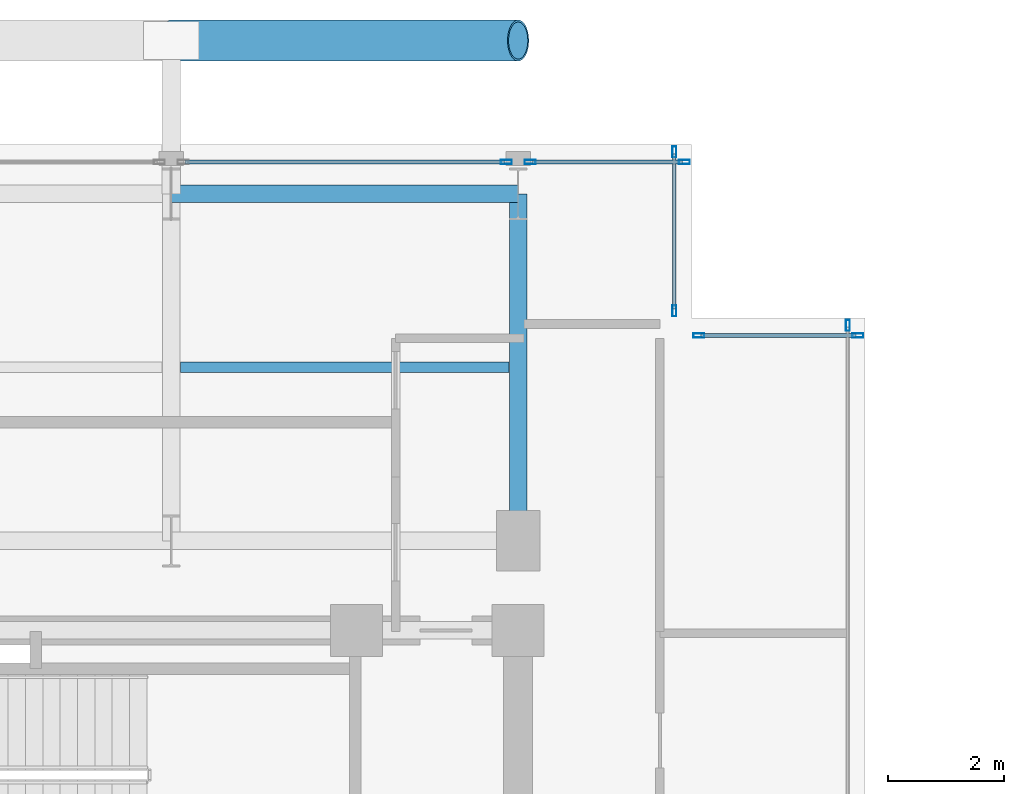
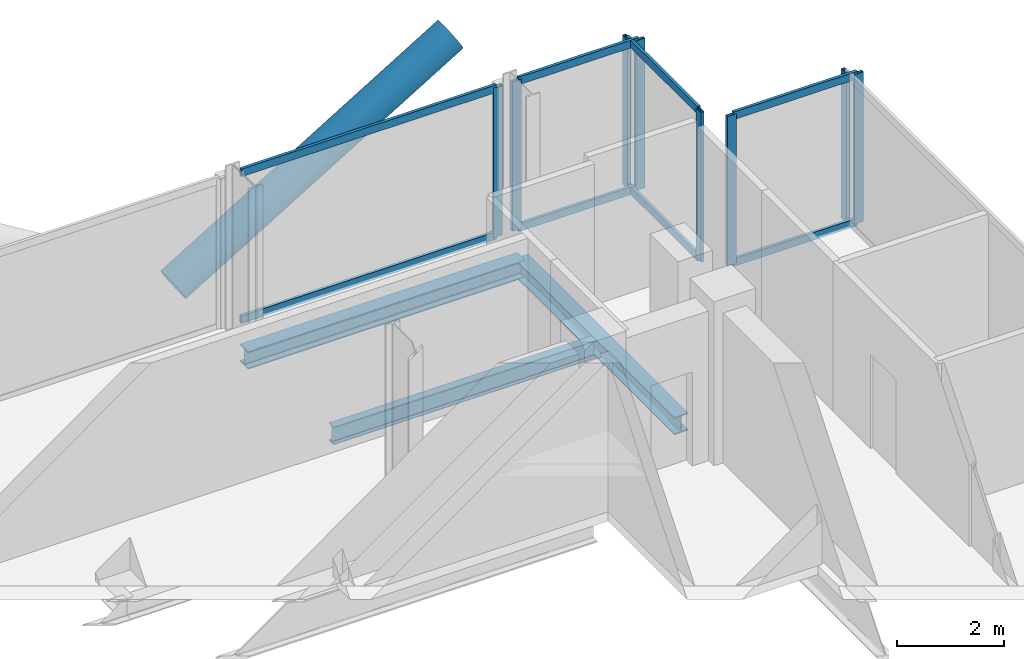
# One storey, part 15 of 25: 17 members, 3 beams, 5 elements without a shape of their own.
"""IFC4 building model written with IfcOpenShell, lengths in metres."""

from ifc_helpers import new_model, si_unit, direction, frame, origin, origin_2d, place, context, subcontext, project, spatial, hollow_rectangle, hollow_circle, i_section, extrude, material, layer, layer_set, material_profile, profile_set, type_object, element, aggregate, save


model = new_model("IFC4")

# Units and contexts
model_context = context("Model", 3, precision=1e-05, world=origin(), true_north=direction((0.0, 1.0)))
body_context = subcontext(model_context, "Body", "Model", "MODEL_VIEW")
ifc_project = project(units=[si_unit("LENGTHUNIT", "METRE"), si_unit("AREAUNIT", "SQUARE_METRE"), si_unit("VOLUMEUNIT", "CUBIC_METRE"), si_unit("PLANEANGLEUNIT", "RADIAN"), si_unit("MASSUNIT", "GRAM", prefix="KILO"), si_unit("THERMODYNAMICTEMPERATUREUNIT", "KELVIN"), si_unit("POWERUNIT", "WATT")], contexts=[model_context])

# Site, building, storey
site_placement = place(None, origin())
site = spatial("IfcSite", under=ifc_project, at=site_placement, CompositionType="ELEMENT")
building_placement = place(site_placement, origin())
building = spatial("IfcBuilding", under=site, at=building_placement, Name="Svarakhadi Broadcast Tower", CompositionType="ELEMENT")
storey_placement = place(building_placement, frame((0.0, 0.0, 231.14990234375)))
storey = spatial("IfcBuildingStorey", under=building, at=storey_placement, Name="L57", CompositionType="ELEMENT", Elevation=231.14990234375)

# Beam
ifc_material_1 = material(Name="Steel S355J2 (IS 2062 E350C)", Category="steel")
ifc_material_profile_1 = material_profile(ifc_material_1, i_section(OverallWidth=0.179931640625, OverallDepth=0.39990234375, WebThickness=0.008544921875, FlangeThickness=0.013427734375, FilletRadius=0.02099609375, at=origin_2d()), Name="NPB 400x180x66")
ifc_profile_set_1 = profile_set([ifc_material_profile_1], Name="Steel S355J2 (IS 2062 E350C)")
beam_type_1 = type_object("IfcBeamType", Name="Beam_NPB400", PredefinedType="BEAM", material=ifc_profile_set_1)
beam_placement = place(storey_placement, frame((12.159912109375, 32.14990234375, -0.409912109375), z_axis=(1.0, 0.0, 0.0), x_axis=(0.0, 1.0, 0.0)))
element("IfcBeam", 1, at=beam_placement, inside=storey, type_object=beam_type_1, Name="L57 Secondary Composite Beam SB012", PredefinedType="BEAM", context=body_context, shape_type="SweptSolid", body=[
    extrude(i_section(OverallWidth=0.179931640625, OverallDepth=0.39990234375, WebThickness=0.008544921875, FlangeThickness=0.013427734375, FilletRadius=0.02099609375, at=origin_2d()), origin(), (0.0, 0.0, 1.0), 5.68017578125),
])

# Curtain wall, member
ifc_material_2 = material(Name="Anodised Bronze Aluminium AA 6063-T6", Category="aluminium")
ifc_layer = layer(ifc_material_2, 0.18994140625)
ifc_layer_set = layer_set([ifc_layer], Name="Anodised Bronze Aluminium AA 6063-T6")
curtain_wall_type = type_object("IfcCurtainWallType", Name="CW_Sys_04", PredefinedType="NOTDEFINED", material=ifc_layer_set)
curtain_wall_1_placement = place(storey_placement, origin())
curtain_wall_1 = element("IfcCurtainWall", 2, at=curtain_wall_1_placement, inside=storey, type_object=curtain_wall_type, Name="L57 Unitised Facade Curtain Wall 06 Bay 2", PredefinedType="NOTDEFINED")
ifc_material_profile_2 = material_profile(ifc_material_2, hollow_rectangle(XDim=0.070068359375, YDim=0.18994140625, WallThickness=0.005615234375, at=origin_2d()), Name="ALU MULLION 190x70x6")
ifc_profile_set_2 = profile_set([ifc_material_profile_2], Name="Anodised Bronze Aluminium AA 6063-T6")
member_type_1 = type_object("IfcMemberType", Name="CW_Sys_04_Mul", PredefinedType="MULLION", material=ifc_profile_set_2)
member_1_placement = place(storey_placement, frame((17.794921875, 35.699951171875, 0.0), z_axis=(0.0, 0.0, 1.0), x_axis=(0.0, 1.0, 0.0)))
member_1 = element("IfcMember", 3, at=member_1_placement, type_object=member_type_1, Name="CW-04 mullion 2", PredefinedType="MULLION", context=body_context, shape_type="SweptSolid", body=[
    extrude(hollow_rectangle(XDim=0.070068359375, YDim=0.18994140625, WallThickness=0.005615234375, at=origin_2d()), origin(), (0.0, 0.0, 1.0), 3.425048828125),
])

# Curtain wall, members
curtain_wall_2_placement = place(storey_placement, origin())
curtain_wall_2 = element("IfcCurtainWall", 4, at=curtain_wall_2_placement, inside=storey, type_object=curtain_wall_type, Name="L57 Unitised Facade Curtain Wall 06 Bay 3", PredefinedType="NOTDEFINED")
member_2_placement = place(storey_placement, frame((18.205078125, 35.699951171875, 0.0), z_axis=(0.0, 0.0, 1.0), x_axis=(0.0, 1.0, 0.0)))
member_2 = element("IfcMember", 5, at=member_2_placement, type_object=member_type_1, Name="CW-04 mullion 1", PredefinedType="MULLION", context=body_context, shape_type="SweptSolid", body=[
    extrude(hollow_rectangle(XDim=0.070068359375, YDim=0.18994140625, WallThickness=0.005615234375, at=origin_2d()), origin(), (0.0, 0.0, 1.0), 3.425048828125),
])
member_3_placement = place(storey_placement, frame((20.875, 35.699951171875, 0.0), z_axis=(0.0, 0.0, 1.0), x_axis=(0.0, 1.0, 0.0)))
member_3 = element("IfcMember", 6, at=member_3_placement, type_object=member_type_1, Name="CW-04 mullion 2", PredefinedType="MULLION", context=body_context, shape_type="SweptSolid", body=[
    extrude(hollow_rectangle(XDim=0.070068359375, YDim=0.18994140625, WallThickness=0.005615234375, at=origin_2d()), origin(), (0.0, 0.0, 1.0), 3.425048828125),
])

curtain_wall_3_placement = place(storey_placement, origin())
curtain_wall_3 = element("IfcCurtainWall", 7, at=curtain_wall_3_placement, inside=storey, type_object=curtain_wall_type, Name="L57 Unitised Facade Curtain Wall 07", PredefinedType="NOTDEFINED")
member_4_placement = place(storey_placement, frame((20.699951171875, 35.875, 0.0), z_axis=(0.0, 0.0, 1.0), x_axis=(1.0, 0.0, 0.0)))
member_4 = element("IfcMember", 8, at=member_4_placement, type_object=member_type_1, Name="CW-04 mullion 1", PredefinedType="MULLION", context=body_context, shape_type="SweptSolid", body=[
    extrude(hollow_rectangle(XDim=0.070068359375, YDim=0.18994140625, WallThickness=0.005615234375, at=origin_2d()), origin(), (0.0, 0.0, 1.0), 3.425048828125),
])
member_5_placement = place(storey_placement, frame((20.699951171875, 33.125, 0.0), z_axis=(0.0, 0.0, 1.0), x_axis=(1.0, 0.0, 0.0)))
member_5 = element("IfcMember", 9, at=member_5_placement, type_object=member_type_1, Name="CW-04 mullion 2", PredefinedType="MULLION", context=body_context, shape_type="SweptSolid", body=[
    extrude(hollow_rectangle(XDim=0.070068359375, YDim=0.18994140625, WallThickness=0.005615234375, at=origin_2d()), origin(), (0.0, 0.0, 1.0), 3.425048828125),
])

curtain_wall_4_placement = place(storey_placement, origin())
curtain_wall_4 = element("IfcCurtainWall", 10, at=curtain_wall_4_placement, inside=storey, type_object=curtain_wall_type, Name="L57 Unitised Facade Curtain Wall 08", PredefinedType="NOTDEFINED")
member_6_placement = place(storey_placement, frame((21.125, 32.699951171875, 0.0), z_axis=(0.0, 0.0, 1.0), x_axis=(0.0, 1.0, 0.0)))
member_6 = element("IfcMember", 11, at=member_6_placement, type_object=member_type_1, Name="CW-04 mullion 1", PredefinedType="MULLION", context=body_context, shape_type="SweptSolid", body=[
    extrude(hollow_rectangle(XDim=0.070068359375, YDim=0.18994140625, WallThickness=0.005615234375, at=origin_2d()), origin(), (0.0, 0.0, 1.0), 3.425048828125),
])
member_7_placement = place(storey_placement, frame((23.875, 32.699951171875, 0.0), z_axis=(0.0, 0.0, 1.0), x_axis=(0.0, 1.0, 0.0)))
member_7 = element("IfcMember", 12, at=member_7_placement, type_object=member_type_1, Name="CW-04 mullion 2", PredefinedType="MULLION", context=body_context, shape_type="SweptSolid", body=[
    extrude(hollow_rectangle(XDim=0.070068359375, YDim=0.18994140625, WallThickness=0.005615234375, at=origin_2d()), origin(), (0.0, 0.0, 1.0), 3.425048828125),
])

# Curtain wall, member
curtain_wall_5_placement = place(storey_placement, origin())
curtain_wall_5 = element("IfcCurtainWall", 13, at=curtain_wall_5_placement, inside=storey, type_object=curtain_wall_type, Name="L57 Unitised Facade Curtain Wall 09", PredefinedType="NOTDEFINED")
member_8_placement = place(storey_placement, frame((23.699951171875, 32.875, 0.0), z_axis=(0.0, 0.0, 1.0), x_axis=(1.0, 0.0, 0.0)))
member_8 = element("IfcMember", 14, at=member_8_placement, type_object=member_type_1, Name="CW-04 mullion 1", PredefinedType="MULLION", context=body_context, shape_type="SweptSolid", body=[
    extrude(hollow_rectangle(XDim=0.070068359375, YDim=0.18994140625, WallThickness=0.005615234375, at=origin_2d()), origin(), (0.0, 0.0, 1.0), 3.425048828125),
])
aggregate(curtain_wall_5, [member_8])

# Member
ifc_material_profile_3 = material_profile(ifc_material_2, hollow_rectangle(XDim=0.06494140625, YDim=0.175048828125, WallThickness=0.0048828125, at=origin_2d()), Name="ALU TRANSOM 175x65x5")
ifc_profile_set_3 = profile_set([ifc_material_profile_3], Name="Anodised Bronze Aluminium AA 6063-T6")
member_type_2 = type_object("IfcMemberType", Name="CW_Sys_04_Trn", PredefinedType="USERDEFINED", material=ifc_profile_set_3)
member_9_placement = place(storey_placement, frame((12.239990234375, 35.699951171875, 0.03271484375), z_axis=(1.0, 0.0, 0.0), x_axis=(0.0, 1.0, 0.0)))
member_9 = element("IfcMember", 15, at=member_9_placement, type_object=member_type_2, Name="CW-04 transom 1.1", ObjectType="TRANSOM", PredefinedType="USERDEFINED", context=body_context, shape_type="SweptSolid", body=[
    extrude(hollow_rectangle(XDim=0.06494140625, YDim=0.175048828125, WallThickness=0.0048828125, at=origin_2d()), origin(), (0.0, 0.0, 1.0), 5.52001953125),
])

member_10_placement = place(storey_placement, frame((12.239990234375, 35.699951171875, 3.392578125), z_axis=(1.0, 0.0, 0.0), x_axis=(0.0, 1.0, 0.0)))
member_10 = element("IfcMember", 16, at=member_10_placement, type_object=member_type_2, Name="CW-04 transom 1.2", ObjectType="TRANSOM", PredefinedType="USERDEFINED", context=body_context, shape_type="SweptSolid", body=[
    extrude(hollow_rectangle(XDim=0.06494140625, YDim=0.175048828125, WallThickness=0.0048828125, at=origin_2d()), origin(), (0.0, 0.0, 1.0), 5.52001953125),
])

aggregate(curtain_wall_1, [member_1, member_9, member_10])

member_11_placement = place(storey_placement, frame((18.239990234375, 35.699951171875, 0.03271484375), z_axis=(1.0, 0.0, 0.0), x_axis=(0.0, 1.0, 0.0)))
member_11 = element("IfcMember", 17, at=member_11_placement, type_object=member_type_2, Name="CW-04 transom 1.1", ObjectType="TRANSOM", PredefinedType="USERDEFINED", context=body_context, shape_type="SweptSolid", body=[
    extrude(hollow_rectangle(XDim=0.06494140625, YDim=0.175048828125, WallThickness=0.0048828125, at=origin_2d()), origin(), (0.0, 0.0, 1.0), 2.60009765625),
])

member_12_placement = place(storey_placement, frame((18.239990234375, 35.699951171875, 3.392578125), z_axis=(1.0, 0.0, 0.0), x_axis=(0.0, 1.0, 0.0)))
member_12 = element("IfcMember", 18, at=member_12_placement, type_object=member_type_2, Name="CW-04 transom 1.2", ObjectType="TRANSOM", PredefinedType="USERDEFINED", context=body_context, shape_type="SweptSolid", body=[
    extrude(hollow_rectangle(XDim=0.06494140625, YDim=0.175048828125, WallThickness=0.0048828125, at=origin_2d()), origin(), (0.0, 0.0, 1.0), 2.60009765625),
])

aggregate(curtain_wall_2, [member_2, member_3, member_11, member_12])

member_13_placement = place(storey_placement, frame((20.699951171875, 35.840087890625, 0.03271484375), z_axis=(0.0, -1.0, 0.0), x_axis=(1.0, 0.0, 0.0)))
member_13 = element("IfcMember", 19, at=member_13_placement, type_object=member_type_2, Name="CW-04 transom 1.1", ObjectType="TRANSOM", PredefinedType="USERDEFINED", context=body_context, shape_type="SweptSolid", body=[
    extrude(hollow_rectangle(XDim=0.06494140625, YDim=0.175048828125, WallThickness=0.0048828125, at=origin_2d()), origin(), (0.0, 0.0, 1.0), 2.68017578125),
])

member_14_placement = place(storey_placement, frame((20.699951171875, 35.840087890625, 3.392578125), z_axis=(0.0, -1.0, 0.0), x_axis=(1.0, 0.0, 0.0)))
member_14 = element("IfcMember", 20, at=member_14_placement, type_object=member_type_2, Name="CW-04 transom 1.2", ObjectType="TRANSOM", PredefinedType="USERDEFINED", context=body_context, shape_type="SweptSolid", body=[
    extrude(hollow_rectangle(XDim=0.06494140625, YDim=0.175048828125, WallThickness=0.0048828125, at=origin_2d()), origin(), (0.0, 0.0, 1.0), 2.68017578125),
])

aggregate(curtain_wall_3, [member_4, member_5, member_13, member_14])

member_15_placement = place(storey_placement, frame((21.159912109375, 32.699951171875, 0.03271484375), z_axis=(1.0, 0.0, 0.0), x_axis=(0.0, 1.0, 0.0)))
member_15 = element("IfcMember", 21, at=member_15_placement, type_object=member_type_2, Name="CW-04 transom 1.1", ObjectType="TRANSOM", PredefinedType="USERDEFINED", context=body_context, shape_type="SweptSolid", body=[
    extrude(hollow_rectangle(XDim=0.06494140625, YDim=0.175048828125, WallThickness=0.0048828125, at=origin_2d()), origin(), (0.0, 0.0, 1.0), 2.68017578125),
])

member_16_placement = place(storey_placement, frame((21.159912109375, 32.699951171875, 3.392578125), z_axis=(1.0, 0.0, 0.0), x_axis=(0.0, 1.0, 0.0)))
member_16 = element("IfcMember", 22, at=member_16_placement, type_object=member_type_2, Name="CW-04 transom 1.2", ObjectType="TRANSOM", PredefinedType="USERDEFINED", context=body_context, shape_type="SweptSolid", body=[
    extrude(hollow_rectangle(XDim=0.06494140625, YDim=0.175048828125, WallThickness=0.0048828125, at=origin_2d()), origin(), (0.0, 0.0, 1.0), 2.68017578125),
])

aggregate(curtain_wall_4, [member_6, member_7, member_15, member_16])

ifc_material_3 = material(Name="Steel S460ML (IS 2062 E450BR)", Category="steel")
ifc_material_profile_4 = material_profile(ifc_material_3, hollow_circle(Radius=0.35546875, WallThickness=0.034912109375, at=origin_2d()), Name="CHS 711x35")
ifc_profile_set_4 = profile_set([ifc_material_profile_4], Name="Steel S460ML (IS 2062 E450BR)")
member_type_3 = type_object("IfcMemberType", Name="Exo_Brace_CHS711", PredefinedType="BRACE", material=ifc_profile_set_4)
member_17_placement = place(storey_placement, frame((12.0, 37.800048828125, -0.371826171875), z_axis=(0.855283363051, 0.0, 0.518160562845), x_axis=(0.0, 1.0, 0.0)))
element("IfcMember", 23, at=member_17_placement, inside=storey, type_object=member_type_3, Name="L57 Exposed Bronze Exoskeleton Diagonal N09", PredefinedType="BRACE", context=body_context, shape_type="SweptSolid", body=[
    extrude(hollow_circle(Radius=0.35546875, WallThickness=0.034912109375, at=origin_2d()), origin(), (0.0, 0.0, 1.0), 7.01513671875),
])

# Beams
ifc_material_profile_5 = material_profile(ifc_material_1, i_section(OverallWidth=0.300048828125, OverallDepth=0.39990234375, WebThickness=0.013427734375, FlangeThickness=0.02392578125, FilletRadius=0.027099609375, at=origin_2d()), Name="WPB 400x300x155")
ifc_profile_set_5 = profile_set([ifc_material_profile_5], Name="Steel S355J2 (IS 2062 E350C)")
beam_type_2 = type_object("IfcBeamType", Name="Girder_WPB400", PredefinedType="USERDEFINED", material=ifc_profile_set_5)
for number, where, z_axis, x_axis, name in (
    (24, (12.0, 35.14990234375, -0.409912109375), (1.0, 0.0, 0.0), (0.0, 1.0, 0.0), "L57 Primary E-W Girder G032"),
    (25, (18.0, 29.14990234375, -0.409912109375), (0.0, 1.0, 0.0), (-1.0, 0.0, 0.0), "L57 Primary N-S Girder G050"),
):
    element("IfcBeam", number, at=place(storey_placement, frame(where, z_axis=z_axis, x_axis=x_axis)), inside=storey, type_object=beam_type_2, Name=name, ObjectType="GIRDER", PredefinedType="USERDEFINED", context=body_context, shape_type="SweptSolid", body=[
        extrude(i_section(OverallWidth=0.300048828125, OverallDepth=0.39990234375, WebThickness=0.013427734375, FlangeThickness=0.02392578125, FilletRadius=0.027099609375, at=origin_2d()), origin(), (0.0, 0.0, 1.0), 6.0),
    ])

save(model, "model.ifc")
